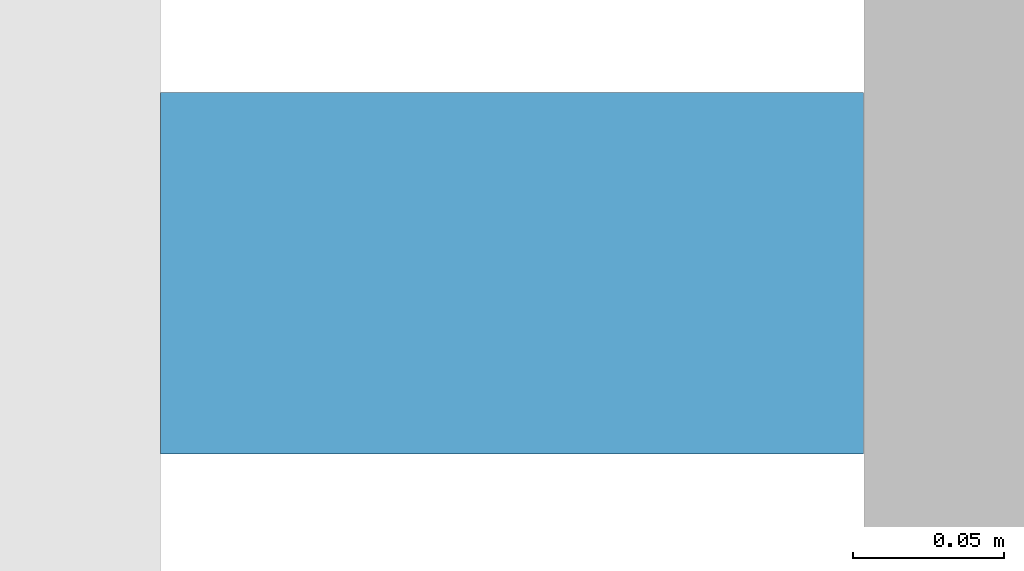
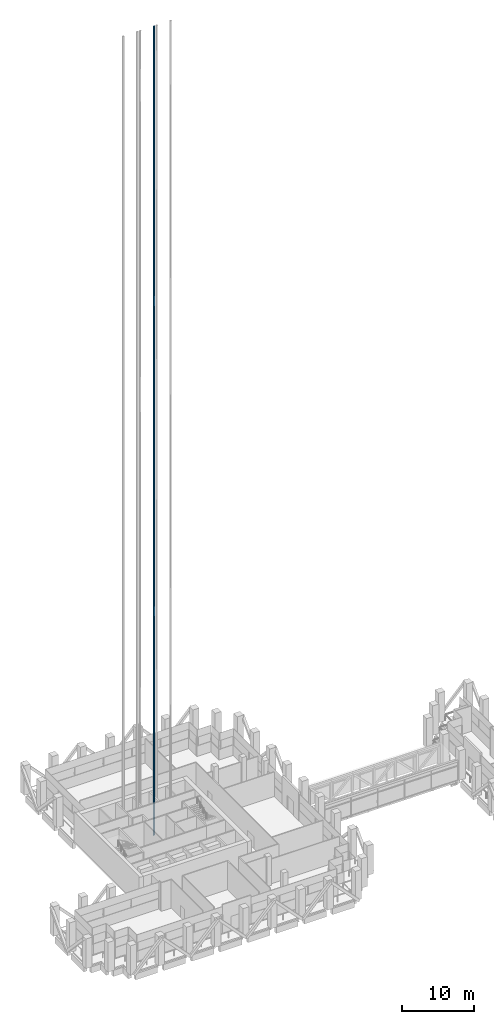
# One storey, part 41 of 48: 1 discrete accessory.
"""IFC4 building model written with IfcOpenShell, lengths in metres."""

from ifc_helpers import new_model, si_unit, direction, frame, origin, origin_2d, place, context, subcontext, project, spatial, rectangle, extrude, element, save


model = new_model("IFC4")

# Units and contexts
model_context = context("Model", 3, precision=1e-05, world=origin(), true_north=direction((0.0, 1.0)))
body_context = subcontext(model_context, "Body", "Model", "MODEL_VIEW")
ifc_project = project(units=[si_unit("LENGTHUNIT", "METRE"), si_unit("AREAUNIT", "SQUARE_METRE"), si_unit("VOLUMEUNIT", "CUBIC_METRE"), si_unit("PLANEANGLEUNIT", "RADIAN"), si_unit("MASSUNIT", "GRAM", prefix="KILO")], contexts=[model_context])

# Site, building, storey
site_placement = place(None, origin())
site = spatial("IfcSite", under=ifc_project, at=site_placement, CompositionType="ELEMENT")
building_placement = place(site_placement, origin())
building = spatial("IfcBuilding", under=site, at=building_placement, Name="Altepetl Exchange Towers", CompositionType="ELEMENT")
storey_placement = place(building_placement, frame((0.0, 0.0, 138.800048828125)))
storey = spatial("IfcBuildingStorey", under=building, at=storey_placement, Name="L34 Refuge and sky lobby", CompositionType="ELEMENT", Elevation=138.800048828125)

# Discrete accessory
discrete_accessory_placement = place(storey_placement, frame((51.949951171875, 56.199951171875, -1.60009765625)))
element("IfcDiscreteAccessory", 1, at=discrete_accessory_placement, inside=storey, Name="Guide rail P6", ObjectType="GUIDE RAIL", PredefinedType="USERDEFINED", context=body_context, shape_type="SweptSolid", body=[
    extrude(rectangle(XDim=0.2333984375, YDim=0.1201171875, at=origin_2d()), origin(), (0.0, 0.0, 1.0), 136.85009765625),
])

save(model, "model.ifc")
